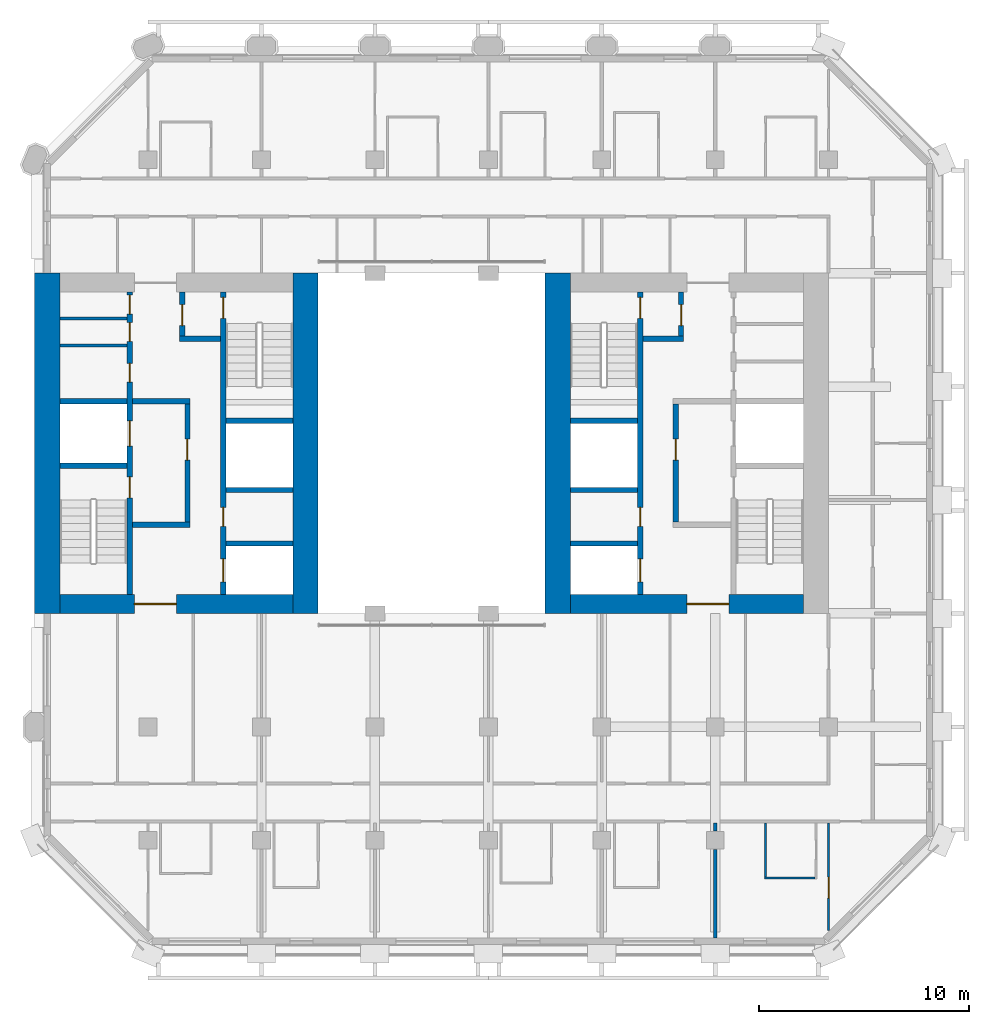
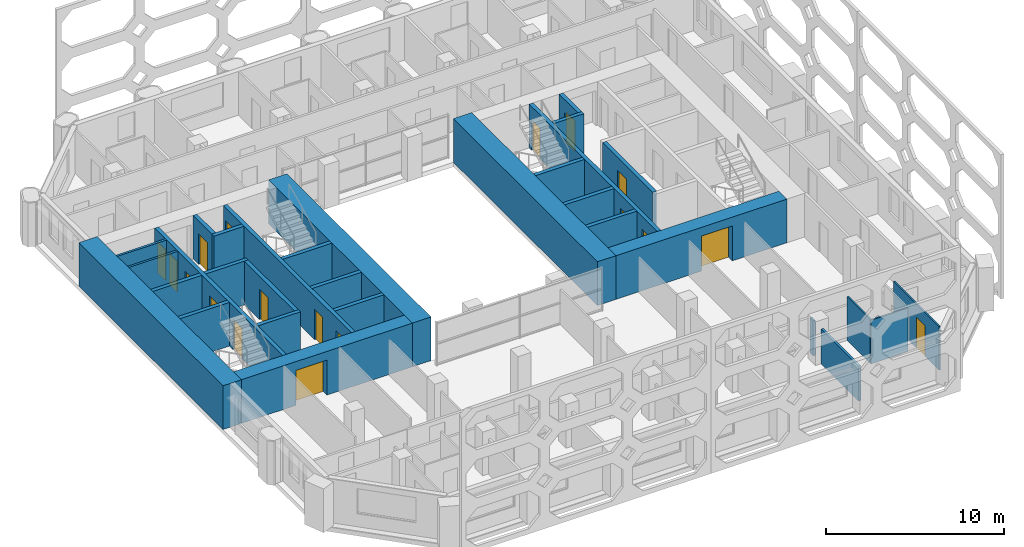
# One storey, part 7 of 14: 31 walls, 18 doors, 18 openings.
"""IFC4 building model written with IfcOpenShell, lengths in metres."""

import ifcopenshell
import ifcopenshell.guid

model = None  # the IFC model being written
_history = None  # IfcOwnerHistory: only IFC2X3 demands one
_inside = {}  # id of a spatial element -> (the spatial element, [elements in it])
_under = {}  # id of a project, library or spatial element -> (it, [spatial elements below it])
_declared = {}  # id of a project -> (the project, [libraries it declares])
_typed = {}  # id of a type object -> (the type object, [elements of that type])
_made_of = {}  # id of a material, layer set ... -> (it, [elements and type objects made of it])


def new_model(schema):
    """Start an empty IFC model of exactly this schema.

    Asked for "IFC4X3", IfcOpenShell would pick the latest addendum, in which some entities
    have other attributes; the version numbers below select the first issue.
    IFC2X3 requires an IfcOwnerHistory on every rooted entity: one is made here for all.
    """
    global model, _history
    if schema == "IFC4X3":
        model = ifcopenshell.file(schema_version=(4, 3, 0, 0))
    else:
        model = ifcopenshell.file(schema=schema)
    _inside.clear()
    _under.clear()
    _declared.clear()
    _typed.clear()
    _made_of.clear()
    _history = None
    if model.schema == "IFC2X3":
        org = make("IfcOrganization", Name="unknown")
        user = make(
            "IfcPersonAndOrganization",
            ThePerson=make("IfcPerson", FamilyName="unknown"),
            TheOrganization=org,
        )
        app = make(
            "IfcApplication",
            ApplicationDeveloper=org,
            Version="unknown",
            ApplicationFullName="unknown",
            ApplicationIdentifier="unknown",
        )
        _history = make(
            "IfcOwnerHistory",
            OwningUser=user,
            OwningApplication=app,
            ChangeAction="ADDED",
            CreationDate=0,
        )
    return model


def make(cls, **values):
    """One entity of the class cls with the attributes given. An attribute that is None is left unset."""
    return model.create_entity(
        cls, **{name: value for name, value in values.items() if value is not None}
    )


def rooted(cls, **values):
    """An entity with a GlobalId (a new one), such as an element, a storey or a relation."""
    return make(cls, GlobalId=ifcopenshell.guid.new(), OwnerHistory=_history, **values)


def si_unit(unit_type, name, prefix=None):
    """IfcSIUnit, for example si_unit("LENGTHUNIT", "METRE", prefix="MILLI")."""
    return make("IfcSIUnit", UnitType=unit_type, Prefix=prefix, Name=name)


def assignment(units):
    """IfcUnitAssignment: the units of a project."""
    return None if units is None else make("IfcUnitAssignment", Units=units)


def point(xyz):
    """IfcCartesianPoint."""
    return None if xyz is None else make("IfcCartesianPoint", Coordinates=xyz)


def direction(xyz):
    """IfcDirection."""
    return None if xyz is None else make("IfcDirection", DirectionRatios=xyz)


def frame(location, z_axis=None, x_axis=None):
    """IfcAxis2Placement3D, a coordinate frame: its origin and axes. An axis left out is left unset."""
    return make(
        "IfcAxis2Placement3D",
        Location=point(location),
        Axis=direction(z_axis),
        RefDirection=direction(x_axis),
    )


def frame_2d(location, x_axis=None):
    """IfcAxis2Placement2D, a coordinate frame in the plane: its origin and x axis."""
    return make(
        "IfcAxis2Placement2D", Location=point(location), RefDirection=direction(x_axis)
    )


def origin():
    """The frame at (0, 0, 0) with its axes left unset."""
    return frame((0.0, 0.0, 0.0))


def place(relative_to, where):
    """IfcLocalPlacement: puts the frame where relative to a parent placement (None: the world)."""
    return make(
        "IfcLocalPlacement", PlacementRelTo=relative_to, RelativePlacement=where
    )


def context(
    kind, dimensions, precision=None, world=None, true_north=None, identifier=None
):
    """IfcGeometricRepresentationContext, for example the 3D "Model" context."""
    return make(
        "IfcGeometricRepresentationContext",
        ContextIdentifier=identifier,
        ContextType=kind,
        CoordinateSpaceDimension=dimensions,
        Precision=precision,
        WorldCoordinateSystem=world,
        TrueNorth=true_north,
    )


def subcontext(parent, identifier, kind, view, scale=None):
    """IfcGeometricRepresentationSubContext, for example "Body" below "Model"."""
    return make(
        "IfcGeometricRepresentationSubContext",
        ContextIdentifier=identifier,
        ContextType=kind,
        ParentContext=parent,
        TargetScale=scale,
        TargetView=view,
    )


def project(units=None, contexts=None):
    """IfcProject with its units and contexts."""
    return rooted(
        "IfcProject",
        Name="project",
        RepresentationContexts=contexts,
        UnitsInContext=assignment(units),
    )


def spatial(cls, under=None, at=None, **own):
    """A site, building, storey or space (cls), placed at a placement, below another one or the project."""
    s = rooted(cls, ObjectPlacement=at, **own)
    if under is not None:
        _under.setdefault(under.id(), (under, []))[1].append(s)
    return s


def profile(cls, at=None, kind="AREA", **sizes):
    """A parametric profile (cls). Its sizes go by their IFC names, for example OverallWidth=200.0."""
    return make(cls, ProfileType=kind, Position=at, **sizes)


def rectangle(**sizes):
    """IfcRectangleProfileDef."""
    return profile("IfcRectangleProfileDef", **sizes)


def extrude(swept, where, along, depth):
    """IfcExtrudedAreaSolid: the profile swept, set in the frame where, extruded along a direction by depth."""
    return make(
        "IfcExtrudedAreaSolid",
        SweptArea=swept,
        Position=where,
        ExtrudedDirection=direction(along),
        Depth=depth,
    )


def shape(context_of_items, identifier, shape_type, items):
    """IfcShapeRepresentation: the items that make up one representation, for example the "Body"."""
    return make(
        "IfcShapeRepresentation",
        ContextOfItems=context_of_items,
        RepresentationIdentifier=identifier,
        RepresentationType=shape_type,
        Items=items,
    )


def material(Name=None, Category=None):
    """IfcMaterial."""
    return make("IfcMaterial", Name=Name, Category=Category)


def layer(
    of_material, thickness, ventilated=None, Name=None, Category=None, Priority=None
):
    """IfcMaterialLayer: one layer of a wall or slab, of a material (None: an air gap)."""
    return make(
        "IfcMaterialLayer",
        Material=of_material,
        LayerThickness=thickness,
        IsVentilated=ventilated,
        Name=Name,
        Category=Category,
        Priority=Priority,
    )


def layer_set(layers, Name=None):
    """IfcMaterialLayerSet."""
    return make("IfcMaterialLayerSet", MaterialLayers=layers, LayerSetName=Name)


def made_of(thing, what):
    """Note that an element or type object is made of a material, layer set ...; save() writes the relation."""
    if what is not None:
        _made_of.setdefault(what.id(), (what, []))[1].append(thing)
    return thing


def type_object(cls, material=None, **own):
    """A type object (cls), such as IfcWallType, which elements share."""
    return made_of(rooted(cls, **own), material)


def element(
    cls,
    number,
    at=None,
    inside=None,
    cuts=None,
    type_object=None,
    material=None,
    context=None,
    identifier="Body",
    shape_type=None,
    held_by="IfcProductDefinitionShape",
    body=None,
    shapes=None,
    **own,
):
    """One element of the class cls, such as IfcWall. Its Tag is "e" and its number.

    at: its placement. inside: the storey or other place that contains it. cuts: it is an
    opening in that element (IfcRelVoidsElement). A single representation is given by context,
    identifier, shape_type and body (its items); several are given by shapes. held_by: the class
    of the entity that holds the representations. save() writes the other relations.
    """
    e = rooted(cls, Tag="e%d" % number, ObjectPlacement=at, **own)
    if body is not None:
        shapes = [shape(context, identifier, shape_type, body)]
    if shapes is not None:
        e.Representation = make(held_by, Representations=shapes)
    if inside is not None:
        _inside.setdefault(inside.id(), (inside, []))[1].append(e)
    if cuts is not None:
        rooted(
            "IfcRelVoidsElement", RelatingBuildingElement=cuts, RelatedOpeningElement=e
        )
    if type_object is not None:
        _typed.setdefault(type_object.id(), (type_object, []))[1].append(e)
    return made_of(e, material)


def fill(opening, filler):
    """IfcRelFillsElement: the door or window that sits in an opening."""
    return rooted(
        "IfcRelFillsElement",
        RelatingOpeningElement=opening,
        RelatedBuildingElement=filler,
    )


def aggregate(whole, parts):
    """IfcRelAggregates: a whole, such as a stair, and the parts it consists of."""
    return rooted("IfcRelAggregates", RelatingObject=whole, RelatedObjects=parts)


def save(model, path):
    """Write the relations noted so far, then the file.

    IfcRelAggregates (storeys below a building ...), IfcRelContainedInSpatialStructure (elements
    in a storey), IfcRelDefinesByType, IfcRelAssociatesMaterial and IfcRelDeclares: one each for
    every whole, place, type object, material and project.
    """
    for whole, parts in _under.values():
        aggregate(whole, parts)
    for where, things in _inside.values():
        rooted(
            "IfcRelContainedInSpatialStructure",
            RelatedElements=things,
            RelatingStructure=where,
        )
    for kind, things in _typed.values():
        rooted("IfcRelDefinesByType", RelatedObjects=things, RelatingType=kind)
    for what, things in _made_of.values():
        rooted("IfcRelAssociatesMaterial", RelatedObjects=things, RelatingMaterial=what)
    for by, libraries in _declared.values():
        rooted("IfcRelDeclares", RelatingContext=by, RelatedDefinitions=libraries)
    model.write(path)


model = new_model("IFC4")

# Units and contexts
model_context = context("Model", 3, precision=1e-05, world=origin(), true_north=direction((0.0, 1.0)))
body_context = subcontext(model_context, "Body", "Model", "MODEL_VIEW")
ifc_project = project(units=[si_unit("LENGTHUNIT", "METRE"), si_unit("AREAUNIT", "SQUARE_METRE"), si_unit("VOLUMEUNIT", "CUBIC_METRE"), si_unit("PLANEANGLEUNIT", "RADIAN"), si_unit("MASSUNIT", "GRAM", prefix="KILO")], contexts=[model_context])

# Site, building, storey
site_placement = place(None, origin())
site = spatial("IfcSite", under=ifc_project, at=site_placement, CompositionType="ELEMENT")
building_placement = place(site_placement, origin())
building = spatial("IfcBuilding", under=site, at=building_placement, Name="Tabaq Tower and Sports Hall", CompositionType="ELEMENT")
storey_placement = place(building_placement, frame((0.0, 0.0, 166.0)))
storey = spatial("IfcBuildingStorey", under=building, at=storey_placement, Name="L39", CompositionType="ELEMENT", Elevation=166.0)

# Walls
ifc_material_1 = material(Name="Blockwork", Category="masonry")
ifc_layer_1 = layer(ifc_material_1, 0.14990234375)
ifc_layer_set_1 = layer_set([ifc_layer_1], Name="Core room partition 150 Blockwork")
wall_type_1 = type_object("IfcWallType", Name="Core room partition 150 Blockwork", PredefinedType="PARTITIONING", material=ifc_layer_set_1)
for number, where, z_axis, x_axis, name in (
    (1, (6.60009765625, 28.962890625, 0.0), (0.0, 0.0, 1.0), (1.0, 0.0, 0.0), "Core room partition W L39"),
    (2, (6.60009765625, 30.23193359375, 0.0), (0.0, 0.0, 1.0), (1.0, 0.0, 0.0), "Core room partition W L39"),
):
    element("IfcWall", number, at=place(storey_placement, frame(where, z_axis=z_axis, x_axis=x_axis)), inside=storey, type_object=wall_type_1, Name=name, PredefinedType="PARTITIONING", context=body_context, shape_type="SweptSolid", body=[
        extrude(rectangle(XDim=3.199951171875, YDim=0.14990234375, at=frame_2d((1.60009765625, 0.0))), origin(), (0.0, 0.0, 1.0), 3.0),
    ])
ifc_material_2 = material(Name="Concrete C50/60", Category="concrete")
ifc_layer_2 = layer(ifc_material_2, 1.199951171875)
ifc_layer_set_2 = layer_set([ifc_layer_2], Name="Core wall 1200 Concrete C50/60")
wall_type_2 = type_object("IfcWallType", Name="Core wall 1200 Concrete C50/60", PredefinedType="SOLIDWALL", material=ifc_layer_set_2)
for number, where, z_axis, x_axis, name in (
    (3, (6.0, 16.199951171875, 0.0), (0.0, 0.0, 1.0), (0.0, 1.0, 0.0), "Core wall W L39"),
    (4, (18.300048828125, 32.39990234375, 0.0), (0.0, 0.0, 1.0), (0.0, -1.0, 0.0), "Core wall W L39"),
    (5, (30.300048828125, 16.199951171875, 0.0), (0.0, 0.0, 1.0), (0.0, 1.0, 0.0), "Core wall E L39"),
):
    element("IfcWall", number, at=place(storey_placement, frame(where, z_axis=z_axis, x_axis=x_axis)), inside=storey, type_object=wall_type_2, Name=name, PredefinedType="SOLIDWALL", context=body_context, shape_type="SweptSolid", body=[
        extrude(rectangle(XDim=16.199951171875, YDim=1.199951171875, at=frame_2d((8.10009765625, 0.0))), origin(), (0.0, 0.0, 1.0), 3.0),
    ])

# Wall, opening, door
ifc_material_3 = material(Name="Concrete C50/60", Category="concrete")
ifc_layer_3 = layer(ifc_material_3, 0.89990234375)
ifc_layer_set_3 = layer_set([ifc_layer_3], Name="Core wall 900 Concrete C50/60")
wall_type_3 = type_object("IfcWallType", Name="Core wall 900 Concrete C50/60", PredefinedType="SOLIDWALL", material=ifc_layer_set_3)
wall_1_placement = place(storey_placement, frame((17.699951171875, 16.64990234375, 0.0), z_axis=(0.0, 0.0, 1.0), x_axis=(-1.0, 0.0, 0.0)))
wall_1 = element("IfcWall", 6, at=wall_1_placement, inside=storey, type_object=wall_type_3, Name="Core wall W L39", PredefinedType="SOLIDWALL", context=body_context, shape_type="SweptSolid", body=[
    extrude(rectangle(XDim=11.099853515625, YDim=0.89990234375, at=frame_2d((5.5498046875, 0.0))), origin(), (0.0, 0.0, 1.0), 3.0),
])
opening_1_placement = place(wall_1_placement, frame((5.550048828125, 0.0, 0.0)))
opening_1 = element("IfcOpeningElement", 7, at=opening_1_placement, cuts=wall_1, Name="Opening PD-WL39-01", PredefinedType="OPENING", context=body_context, shape_type="SweptSolid", body=[
    extrude(rectangle(XDim=2.0, YDim=2.39990234375, at=frame_2d((1.0, 1.199951171875))), frame((0.0, 0.449951171875, 0.0), z_axis=(0.0, -1.0, 0.0), x_axis=(1.0, 0.0, 0.0)), (0.0, 0.0, 1.0), 0.89990234375),
])
ifc_material_4 = material(Name="Steel fire door", Category="steel")
door_type_1 = type_object("IfcDoorType", Name="Core entrance door 2000", OperationType="DOUBLE_DOOR_SINGLE_SWING", PredefinedType="DOOR", material=ifc_material_4)
door_1_placement = place(opening_1_placement, origin())
door_1 = element("IfcDoor", 8, at=door_1_placement, inside=storey, type_object=door_type_1, Name="Core entrance south W L39", OperationType="DOUBLE_DOOR_SINGLE_SWING", OverallHeight=2.39990234375, OverallWidth=2.0, PredefinedType="DOOR", context=body_context, shape_type="SweptSolid", body=[
    extrude(rectangle(XDim=2.0, YDim=2.39990234375, at=frame_2d((1.0, 1.199951171875))), frame((0.0, 0.02490234375, 0.0), z_axis=(0.0, -1.0, 0.0), x_axis=(1.0, 0.0, 0.0)), (0.0, 0.0, 1.0), 0.050048828125),
])
fill(opening_1, door_1)

wall_2_placement = place(storey_placement, frame((42.0, 16.64990234375, 0.0), z_axis=(0.0, 0.0, 1.0), x_axis=(-1.0, 0.0, 0.0)))
wall_2 = element("IfcWall", 9, at=wall_2_placement, inside=storey, type_object=wall_type_3, Name="Core wall E L39", PredefinedType="SOLIDWALL", context=body_context, shape_type="SweptSolid", body=[
    extrude(rectangle(XDim=11.10009765625, YDim=0.89990234375, at=frame_2d((5.550048828125, 0.0))), origin(), (0.0, 0.0, 1.0), 3.0),
])
opening_2_placement = place(wall_2_placement, frame((3.550048828125, 0.0, 0.0)))
opening_2 = element("IfcOpeningElement", 10, at=opening_2_placement, cuts=wall_2, Name="Opening PD-EL39-01", PredefinedType="OPENING", context=body_context, shape_type="SweptSolid", body=[
    extrude(rectangle(XDim=2.0, YDim=2.39990234375, at=frame_2d((1.0, 1.199951171875))), frame((0.0, 0.449951171875, 0.0), z_axis=(0.0, -1.0, 0.0), x_axis=(1.0, 0.0, 0.0)), (0.0, 0.0, 1.0), 0.89990234375),
])
door_2_placement = place(opening_2_placement, origin())
door_2 = element("IfcDoor", 11, at=door_2_placement, inside=storey, type_object=door_type_1, Name="Core entrance south E L39", OperationType="DOUBLE_DOOR_SINGLE_SWING", OverallHeight=2.39990234375, OverallWidth=2.0, PredefinedType="DOOR", context=body_context, shape_type="SweptSolid", body=[
    extrude(rectangle(XDim=2.0, YDim=2.39990234375, at=frame_2d((1.0, 1.199951171875))), frame((0.0, 0.02490234375, 0.0), z_axis=(0.0, -1.0, 0.0), x_axis=(1.0, 0.0, 0.0)), (0.0, 0.0, 1.0), 0.050048828125),
])
fill(opening_2, door_2)

ifc_material_5 = material(Name="Gypsum board on steel studs", Category="steel")
ifc_layer_4 = layer(ifc_material_5, 0.10009765625)
ifc_layer_set_4 = layer_set([ifc_layer_4], Name="Partition 100 Gypsum board")
wall_type_4 = type_object("IfcWallType", Name="Partition 100 Gypsum board", PredefinedType="PARTITIONING", material=ifc_layer_set_4)
wall_3_placement = place(storey_placement, frame((43.199951171875, 1.112060546875, 0.0), z_axis=(0.0, 0.0, 1.0), x_axis=(0.0, 1.0, 0.0)))
wall_3 = element("IfcWall", 12, at=wall_3_placement, inside=storey, type_object=wall_type_4, Name="Partition wall L39", PredefinedType="PARTITIONING", context=body_context, shape_type="SweptSolid", body=[
    extrude(rectangle(XDim=5.113037109375, YDim=0.10009765625, at=frame_2d((2.556640625, 0.0))), origin(), (0.0, 0.0, 1.0), 3.0),
])
opening_3_placement = place(wall_3_placement, frame((1.537841796875, 0.0, 0.0)))
opening_3 = element("IfcOpeningElement", 13, at=opening_3_placement, cuts=wall_3, Name="Opening L39-046", PredefinedType="OPENING", context=body_context, shape_type="SweptSolid", body=[
    extrude(rectangle(XDim=1.0, YDim=2.10009765625, at=frame_2d((0.5, 1.050048828125))), frame((0.0, 0.050048828125, 0.0), z_axis=(0.0, -1.0, 0.0), x_axis=(1.0, 0.0, 0.0)), (0.0, 0.0, 1.0), 0.10009765625),
])
ifc_material_6 = material(Name="Timber leaf in steel frame", Category="steel")
door_type_2 = type_object("IfcDoorType", Name="Internal door 1000 right hand", OperationType="SINGLE_SWING_RIGHT", PredefinedType="DOOR", material=ifc_material_6)
door_3_placement = place(opening_3_placement, origin())
door_3 = element("IfcDoor", 14, at=door_3_placement, inside=storey, type_object=door_type_2, Name="Internal door L39-046", OperationType="SINGLE_SWING_RIGHT", OverallHeight=2.10009765625, OverallWidth=1.0, PredefinedType="DOOR", context=body_context, shape_type="SweptSolid", body=[
    extrude(rectangle(XDim=1.0, YDim=2.10009765625, at=frame_2d((0.5, 1.050048828125))), frame((0.0, 0.02490234375, 0.0), z_axis=(0.0, -1.0, 0.0), x_axis=(1.0, 0.0, 0.0)), (0.0, 0.0, 1.0), 0.050048828125),
])
fill(opening_3, door_3)

# Walls
wall_4_placement = place(storey_placement, frame((42.550048828125, 3.60009765625, 0.0), z_axis=(0.0, 0.0, 1.0), x_axis=(-1.0, 0.0, 0.0)))
element("IfcWall", 15, at=wall_4_placement, inside=storey, type_object=wall_type_4, Name="Partition wall L39", PredefinedType="PARTITIONING", context=body_context, shape_type="SweptSolid", body=[
    extrude(rectangle(XDim=2.400146484375, YDim=0.10009765625, at=frame_2d((1.2001953125, 0.0))), origin(), (0.0, 0.0, 1.0), 3.0),
])
wall_5_placement = place(storey_placement, frame((40.199951171875, 3.64990234375, 0.0), z_axis=(0.0, 0.0, 1.0), x_axis=(0.0, 1.0, 0.0)))
element("IfcWall", 16, at=wall_5_placement, inside=storey, type_object=wall_type_4, Name="Partition wall L39", PredefinedType="PARTITIONING", context=body_context, shape_type="SweptSolid", body=[
    extrude(rectangle(XDim=2.5751953125, YDim=0.10009765625, at=frame_2d((1.28759765625, 0.0))), origin(), (0.0, 0.0, 1.0), 3.0),
])
ifc_material_7 = material(Name="Blockwork", Category="masonry")
ifc_layer_5 = layer(ifc_material_7, 0.14990234375)
ifc_layer_set_5 = layer_set([ifc_layer_5], Name="Separating wall 150 Blockwork")
wall_type_5 = type_object("IfcWallType", Name="Separating wall 150 Blockwork", PredefinedType="PARTITIONING", material=ifc_layer_set_5)
wall_6_placement = place(storey_placement, frame((37.800048828125, 0.7509765625, 0.0), z_axis=(0.0, 0.0, 1.0), x_axis=(0.0, 1.0, 0.0)))
element("IfcWall", 17, at=wall_6_placement, inside=storey, type_object=wall_type_5, Name="Separating wall L39", PredefinedType="PARTITIONING", context=body_context, shape_type="SweptSolid", body=[
    extrude(rectangle(XDim=4.2041015625, YDim=0.14990234375, at=frame_2d((2.10205078125, 0.0))), origin(), (0.0, 0.0, 1.0), 2.39990234375),
])
wall_7_placement = place(storey_placement, frame((37.800048828125, 5.844970703125, 0.0), z_axis=(0.0, 0.0, 1.0), x_axis=(0.0, 1.0, 0.0)))
element("IfcWall", 18, at=wall_7_placement, inside=storey, type_object=wall_type_5, Name="Separating wall L39", PredefinedType="PARTITIONING", context=body_context, shape_type="SweptSolid", body=[
    extrude(rectangle(XDim=0.380126953125, YDim=0.14990234375, at=frame_2d((0.18994140625, 0.0))), origin(), (0.0, 0.0, 1.0), 2.39990234375),
])

# Wall, openings, doors
ifc_material_8 = material(Name="Concrete C40/50", Category="concrete")
ifc_layer_6 = layer(ifc_material_8, 0.25)
ifc_layer_set_6 = layer_set([ifc_layer_6], Name="Shaft and stair wall 250 Concrete C40/50")
wall_type_6 = type_object("IfcWallType", Name="Shaft and stair wall 250 Concrete C40/50", PredefinedType="SOLIDWALL", material=ifc_layer_set_6)
wall_8_placement = place(storey_placement, frame((9.925048828125, 17.10009765625, 0.0), z_axis=(0.0, 0.0, 1.0), x_axis=(0.0, 1.0, 0.0)))
wall_8 = element("IfcWall", 19, at=wall_8_placement, inside=storey, type_object=wall_type_6, Name="Shaft wall W L39", PredefinedType="SOLIDWALL", context=body_context, shape_type="SweptSolid", body=[
    extrude(rectangle(XDim=14.39990234375, YDim=0.25, at=frame_2d((7.199951171875, 0.0))), origin(), (0.0, 0.0, 1.0), 3.0),
])
opening_4_placement = place(wall_8_placement, frame((4.60009765625, 0.0, 0.0)))
opening_4 = element("IfcOpeningElement", 20, at=opening_4_placement, cuts=wall_8, Name="Opening SD-WL39-03", PredefinedType="OPENING", context=body_context, shape_type="SweptSolid", body=[
    extrude(rectangle(XDim=1.0, YDim=2.10009765625, at=frame_2d((0.5, 1.050048828125))), frame((0.0, 0.125, 0.0), z_axis=(0.0, -1.0, 0.0), x_axis=(1.0, 0.0, 0.0)), (0.0, 0.0, 1.0), 0.25),
])
opening_5_placement = place(wall_8_placement, frame((7.0625, 0.0, 0.0)))
opening_5 = element("IfcOpeningElement", 21, at=opening_5_placement, cuts=wall_8, Name="Opening LD-FF1-L39", PredefinedType="OPENING", context=body_context, shape_type="SweptSolid", body=[
    extrude(rectangle(XDim=1.199951171875, YDim=2.10009765625, at=frame_2d((0.60009765625, 1.050048828125))), frame((0.0, 0.125, 0.0), z_axis=(0.0, -1.0, 0.0), x_axis=(1.0, 0.0, 0.0)), (0.0, 0.0, 1.0), 0.25),
])
opening_6_placement = place(wall_8_placement, frame((10.1064453125, 0.0, 0.0)))
opening_6 = element("IfcOpeningElement", 22, at=opening_6_placement, cuts=wall_8, Name="Opening RD-WL39-09", PredefinedType="OPENING", context=body_context, shape_type="SweptSolid", body=[
    extrude(rectangle(XDim=0.89990234375, YDim=2.10009765625, at=frame_2d((0.449951171875, 1.050048828125))), frame((0.0, 0.125, 0.0), z_axis=(0.0, -1.0, 0.0), x_axis=(1.0, 0.0, 0.0)), (0.0, 0.0, 1.0), 0.25),
])
opening_7_placement = place(wall_8_placement, frame((12.047607421875, 0.0, 0.0)))
opening_7 = element("IfcOpeningElement", 23, at=opening_7_placement, cuts=wall_8, Name="Opening RD-WL39-10", PredefinedType="OPENING", context=body_context, shape_type="SweptSolid", body=[
    extrude(rectangle(XDim=0.89990234375, YDim=2.10009765625, at=frame_2d((0.449951171875, 1.050048828125))), frame((0.0, 0.125, 0.0), z_axis=(0.0, -1.0, 0.0), x_axis=(1.0, 0.0, 0.0)), (0.0, 0.0, 1.0), 0.25),
])
opening_8_placement = place(wall_8_placement, frame((13.353515625, 0.0, 0.0)))
opening_8 = element("IfcOpeningElement", 24, at=opening_8_placement, cuts=wall_8, Name="Opening RD-WL39-11", PredefinedType="OPENING", context=body_context, shape_type="SweptSolid", body=[
    extrude(rectangle(XDim=0.89990234375, YDim=2.10009765625, at=frame_2d((0.449951171875, 1.050048828125))), frame((0.0, 0.125, 0.0), z_axis=(0.0, -1.0, 0.0), x_axis=(1.0, 0.0, 0.0)), (0.0, 0.0, 1.0), 0.25),
])
ifc_material_9 = material(Name="Steel fire door", Category="steel")
door_type_3 = type_object("IfcDoorType", Name="Core room door 900", OperationType="SINGLE_SWING_LEFT", PredefinedType="DOOR", material=ifc_material_9)
door_4_placement = place(opening_6_placement, origin())
door_4 = element("IfcDoor", 25, at=door_4_placement, inside=storey, type_object=door_type_3, Name="Door Unisex WC W L39", OperationType="SINGLE_SWING_LEFT", OverallHeight=2.10009765625, OverallWidth=0.89990234375, PredefinedType="DOOR", context=body_context, shape_type="SweptSolid", body=[
    extrude(rectangle(XDim=0.89990234375, YDim=2.10009765625, at=frame_2d((0.449951171875, 1.050048828125))), frame((0.0, 0.02490234375, 0.0), z_axis=(0.0, -1.0, 0.0), x_axis=(1.0, 0.0, 0.0)), (0.0, 0.0, 1.0), 0.050048828125),
])
fill(opening_6, door_4)
door_5_placement = place(opening_7_placement, origin())
door_5 = element("IfcDoor", 26, at=door_5_placement, inside=storey, type_object=door_type_3, Name="Door Cleaner's Store W L39", OperationType="SINGLE_SWING_LEFT", OverallHeight=2.10009765625, OverallWidth=0.89990234375, PredefinedType="DOOR", context=body_context, shape_type="SweptSolid", body=[
    extrude(rectangle(XDim=0.89990234375, YDim=2.10009765625, at=frame_2d((0.449951171875, 1.050048828125))), frame((0.0, 0.02490234375, 0.0), z_axis=(0.0, -1.0, 0.0), x_axis=(1.0, 0.0, 0.0)), (0.0, 0.0, 1.0), 0.050048828125),
])
fill(opening_7, door_5)
door_6_placement = place(opening_8_placement, origin())
door_6 = element("IfcDoor", 27, at=door_6_placement, inside=storey, type_object=door_type_3, Name="Door Accessible WC W L39", OperationType="SINGLE_SWING_LEFT", OverallHeight=2.10009765625, OverallWidth=0.89990234375, PredefinedType="DOOR", context=body_context, shape_type="SweptSolid", body=[
    extrude(rectangle(XDim=0.89990234375, YDim=2.10009765625, at=frame_2d((0.449951171875, 1.050048828125))), frame((0.0, 0.02490234375, 0.0), z_axis=(0.0, -1.0, 0.0), x_axis=(1.0, 0.0, 0.0)), (0.0, 0.0, 1.0), 0.050048828125),
])
fill(opening_8, door_6)
ifc_material_10 = material(Name="Stainless steel", Category="steel")
door_type_4 = type_object("IfcDoorType", Name="Lift landing door 1200", OperationType="DOUBLE_DOOR_SLIDING", PredefinedType="DOOR", material=ifc_material_10)
door_7_placement = place(opening_5_placement, origin())
door_7 = element("IfcDoor", 28, at=door_7_placement, inside=storey, type_object=door_type_4, Name="Lift landing door FF1 W L39", OperationType="DOUBLE_DOOR_SLIDING", OverallHeight=2.10009765625, OverallWidth=1.199951171875, PredefinedType="DOOR", context=body_context, shape_type="SweptSolid", body=[
    extrude(rectangle(XDim=1.199951171875, YDim=2.10009765625, at=frame_2d((0.60009765625, 1.050048828125))), frame((0.0, 0.02490234375, 0.0), z_axis=(0.0, -1.0, 0.0), x_axis=(1.0, 0.0, 0.0)), (0.0, 0.0, 1.0), 0.050048828125),
])
fill(opening_5, door_7)
ifc_material_11 = material(Name="Steel fire door", Category="steel")
door_type_5 = type_object("IfcDoorType", Name="Stair door 1000", OperationType="SINGLE_SWING_LEFT", PredefinedType="DOOR", material=ifc_material_11)
door_8_placement = place(opening_4_placement, origin())
door_8 = element("IfcDoor", 29, at=door_8_placement, inside=storey, type_object=door_type_5, Name="Stair door ST1 W L39", OperationType="SINGLE_SWING_LEFT", OverallHeight=2.10009765625, OverallWidth=1.0, PredefinedType="DOOR", context=body_context, shape_type="SweptSolid", body=[
    extrude(rectangle(XDim=1.0, YDim=2.10009765625, at=frame_2d((0.5, 1.050048828125))), frame((0.0, 0.02490234375, 0.0), z_axis=(0.0, -1.0, 0.0), x_axis=(1.0, 0.0, 0.0)), (0.0, 0.0, 1.0), 0.050048828125),
])
fill(opening_4, door_8)

wall_9_placement = place(storey_placement, frame((14.375, 17.10009765625, 0.0), z_axis=(0.0, 0.0, 1.0), x_axis=(0.0, 1.0, 0.0)))
wall_9 = element("IfcWall", 30, at=wall_9_placement, inside=storey, type_object=wall_type_6, Name="Shaft wall W L39", PredefinedType="SOLIDWALL", context=body_context, shape_type="SweptSolid", body=[
    extrude(rectangle(XDim=14.39990234375, YDim=0.25, at=frame_2d((7.199951171875, 0.0))), origin(), (0.0, 0.0, 1.0), 3.0),
])
opening_9_placement = place(wall_9_placement, frame((13.14990234375, 0.0, 0.0)))
opening_9 = element("IfcOpeningElement", 31, at=opening_9_placement, cuts=wall_9, Name="Opening SD-WL39-05", PredefinedType="OPENING", context=body_context, shape_type="SweptSolid", body=[
    extrude(rectangle(XDim=1.0, YDim=2.10009765625, at=frame_2d((0.5, 1.050048828125))), frame((0.0, 0.125, 0.0), z_axis=(0.0, -1.0, 0.0), x_axis=(1.0, 0.0, 0.0)), (0.0, 0.0, 1.0), 0.25),
])
opening_10_placement = place(wall_9_placement, frame((0.60009765625, 0.0, 0.0)))
opening_10 = element("IfcOpeningElement", 32, at=opening_10_placement, cuts=wall_9, Name="Opening LD-MR1-L39", PredefinedType="OPENING", context=body_context, shape_type="SweptSolid", body=[
    extrude(rectangle(XDim=1.10009765625, YDim=2.10009765625, at=frame_2d((0.550048828125, 1.050048828125))), frame((0.0, 0.125, 0.0), z_axis=(0.0, -1.0, 0.0), x_axis=(1.0, 0.0, 0.0)), (0.0, 0.0, 1.0), 0.25),
])
opening_11_placement = place(wall_9_placement, frame((3.25, 0.0, 0.0)))
opening_11 = element("IfcOpeningElement", 33, at=opening_11_placement, cuts=wall_9, Name="Opening RD-WL39-12", PredefinedType="OPENING", context=body_context, shape_type="SweptSolid", body=[
    extrude(rectangle(XDim=0.89990234375, YDim=2.10009765625, at=frame_2d((0.449951171875, 1.050048828125))), frame((0.0, 0.125, 0.0), z_axis=(0.0, -1.0, 0.0), x_axis=(1.0, 0.0, 0.0)), (0.0, 0.0, 1.0), 0.25),
])
door_9_placement = place(opening_11_placement, origin())
door_9 = element("IfcDoor", 34, at=door_9_placement, inside=storey, type_object=door_type_3, Name="Door Cleaner's Store W L39", OperationType="SINGLE_SWING_LEFT", OverallHeight=2.10009765625, OverallWidth=0.89990234375, PredefinedType="DOOR", context=body_context, shape_type="SweptSolid", body=[
    extrude(rectangle(XDim=0.89990234375, YDim=2.10009765625, at=frame_2d((0.449951171875, 1.050048828125))), frame((0.0, 0.02490234375, 0.0), z_axis=(0.0, -1.0, 0.0), x_axis=(1.0, 0.0, 0.0)), (0.0, 0.0, 1.0), 0.050048828125),
])
fill(opening_11, door_9)
ifc_material_12 = material(Name="Stainless steel", Category="steel")
door_type_6 = type_object("IfcDoorType", Name="Lift landing door 1100", OperationType="DOUBLE_DOOR_SLIDING", PredefinedType="DOOR", material=ifc_material_12)
door_10_placement = place(opening_10_placement, origin())
door_10 = element("IfcDoor", 35, at=door_10_placement, inside=storey, type_object=door_type_6, Name="Lift landing door MR1 W L39", OperationType="DOUBLE_DOOR_SLIDING", OverallHeight=2.10009765625, OverallWidth=1.10009765625, PredefinedType="DOOR", context=body_context, shape_type="SweptSolid", body=[
    extrude(rectangle(XDim=1.10009765625, YDim=2.10009765625, at=frame_2d((0.550048828125, 1.050048828125))), frame((0.0, 0.02490234375, 0.0), z_axis=(0.0, -1.0, 0.0), x_axis=(1.0, 0.0, 0.0)), (0.0, 0.0, 1.0), 0.050048828125),
])
fill(opening_10, door_10)
door_11_placement = place(opening_9_placement, origin())
door_11 = element("IfcDoor", 36, at=door_11_placement, inside=storey, type_object=door_type_5, Name="Stair door ST2 W L39", OperationType="SINGLE_SWING_LEFT", OverallHeight=2.10009765625, OverallWidth=1.0, PredefinedType="DOOR", context=body_context, shape_type="SweptSolid", body=[
    extrude(rectangle(XDim=1.0, YDim=2.10009765625, at=frame_2d((0.5, 1.050048828125))), frame((0.0, 0.02490234375, 0.0), z_axis=(0.0, -1.0, 0.0), x_axis=(1.0, 0.0, 0.0)), (0.0, 0.0, 1.0), 0.050048828125),
])
fill(opening_9, door_11)

# Walls
for number, where, z_axis, x_axis, name in (
    (37, (6.60009765625, 23.22509765625, 0.0), (0.0, 0.0, 1.0), (1.0, 0.0, 0.0), "Stair enclosure wall W L39"),
    (38, (14.5, 25.375, 0.0), (0.0, 0.0, 1.0), (1.0, 0.0, 0.0), "Stair enclosure wall W L39"),
    (39, (14.5, 22.074951171875, 0.0), (0.0, 0.0, 1.0), (1.0, 0.0, 0.0), "Shaft wall W L39"),
    (40, (6.60009765625, 26.300048828125, 0.0), (0.0, 0.0, 1.0), (1.0, 0.0, 0.0), "Shaft wall W L39"),
):
    element("IfcWall", number, at=place(storey_placement, frame(where, z_axis=z_axis, x_axis=x_axis)), inside=storey, type_object=wall_type_6, Name=name, PredefinedType="SOLIDWALL", context=body_context, shape_type="SweptSolid", body=[
        extrude(rectangle(XDim=3.199951171875, YDim=0.25, at=frame_2d((1.60009765625, 0.0))), origin(), (0.0, 0.0, 1.0), 3.0),
    ])
for number, where, z_axis, x_axis, name in (
    (41, (10.050048828125, 26.300048828125, 0.0), (0.0, 0.0, 1.0), (1.0, 0.0, 0.0), "Fire-fighting lobby wall W L39"),
    (42, (10.050048828125, 20.425048828125, 0.0), (0.0, 0.0, 1.0), (1.0, 0.0, 0.0), "Fire-fighting lobby wall W L39"),
):
    element("IfcWall", number, at=place(storey_placement, frame(where, z_axis=z_axis, x_axis=x_axis)), inside=storey, type_object=wall_type_6, Name=name, PredefinedType="SOLIDWALL", context=body_context, shape_type="SweptSolid", body=[
        extrude(rectangle(XDim=2.75, YDim=0.25, at=frame_2d((1.375, 0.0))), origin(), (0.0, 0.0, 1.0), 3.0),
    ])

# Wall, opening, door
wall_10_placement = place(storey_placement, frame((12.425048828125, 29.39990234375, 0.0), z_axis=(0.0, 0.0, 1.0), x_axis=(0.0, 1.0, 0.0)))
wall_10 = element("IfcWall", 43, at=wall_10_placement, inside=storey, type_object=wall_type_6, Name="Fire-fighting lobby wall W L39", PredefinedType="SOLIDWALL", context=body_context, shape_type="SweptSolid", body=[
    extrude(rectangle(XDim=2.10009765625, YDim=0.25, at=frame_2d((1.050048828125, 0.0))), origin(), (0.0, 0.0, 1.0), 3.0),
])
opening_12_placement = place(wall_10_placement, frame((0.5, 0.0, 0.0)))
opening_12 = element("IfcOpeningElement", 44, at=opening_12_placement, cuts=wall_10, Name="Opening FD-WL39-06", PredefinedType="OPENING", context=body_context, shape_type="SweptSolid", body=[
    extrude(rectangle(XDim=1.0, YDim=2.10009765625, at=frame_2d((0.5, 1.050048828125))), frame((0.0, 0.125, 0.0), z_axis=(0.0, -1.0, 0.0), x_axis=(1.0, 0.0, 0.0)), (0.0, 0.0, 1.0), 0.25),
])
ifc_material_13 = material(Name="Steel fire door", Category="steel")
door_type_7 = type_object("IfcDoorType", Name="Fire-fighting lobby door 1000", OperationType="SINGLE_SWING_LEFT", PredefinedType="DOOR", material=ifc_material_13)
door_12_placement = place(opening_12_placement, origin())
door_12 = element("IfcDoor", 45, at=door_12_placement, inside=storey, type_object=door_type_7, Name="Stair lobby door W L39", OperationType="SINGLE_SWING_LEFT", OverallHeight=2.10009765625, OverallWidth=1.0, PredefinedType="DOOR", context=body_context, shape_type="SweptSolid", body=[
    extrude(rectangle(XDim=1.0, YDim=2.10009765625, at=frame_2d((0.5, 1.050048828125))), frame((0.0, 0.02490234375, 0.0), z_axis=(0.0, -1.0, 0.0), x_axis=(1.0, 0.0, 0.0)), (0.0, 0.0, 1.0), 0.050048828125),
])
fill(opening_12, door_12)

# Wall
wall_11_placement = place(storey_placement, frame((12.300048828125, 29.27490234375, 0.0), z_axis=(0.0, 0.0, 1.0), x_axis=(1.0, 0.0, 0.0)))
element("IfcWall", 46, at=wall_11_placement, inside=storey, type_object=wall_type_6, Name="Fire-fighting lobby wall W L39", PredefinedType="SOLIDWALL", context=body_context, shape_type="SweptSolid", body=[
    extrude(rectangle(XDim=1.949951171875, YDim=0.25, at=frame_2d((0.97509765625, 0.0))), origin(), (0.0, 0.0, 1.0), 3.0),
])

# Wall, opening, door
wall_12_placement = place(storey_placement, frame((12.675048828125, 20.550048828125, 0.0), z_axis=(0.0, 0.0, 1.0), x_axis=(0.0, 1.0, 0.0)))
wall_12 = element("IfcWall", 47, at=wall_12_placement, inside=storey, type_object=wall_type_6, Name="Fire-fighting lobby wall W L39", PredefinedType="SOLIDWALL", context=body_context, shape_type="SweptSolid", body=[
    extrude(rectangle(XDim=5.625, YDim=0.25, at=frame_2d((2.8125, 0.0))), origin(), (0.0, 0.0, 1.0), 3.0),
])
opening_13_placement = place(wall_12_placement, frame((2.949951171875, 0.0, 0.0)))
opening_13 = element("IfcOpeningElement", 48, at=opening_13_placement, cuts=wall_12, Name="Opening FD-WL39-04", PredefinedType="OPENING", context=body_context, shape_type="SweptSolid", body=[
    extrude(rectangle(XDim=1.0, YDim=2.10009765625, at=frame_2d((0.5, 1.050048828125))), frame((0.0, 0.125, 0.0), z_axis=(0.0, -1.0, 0.0), x_axis=(1.0, 0.0, 0.0)), (0.0, 0.0, 1.0), 0.25),
])
door_13_placement = place(opening_13_placement, origin())
door_13 = element("IfcDoor", 49, at=door_13_placement, inside=storey, type_object=door_type_7, Name="Fire-fighting lobby door W L39", OperationType="SINGLE_SWING_LEFT", OverallHeight=2.10009765625, OverallWidth=1.0, PredefinedType="DOOR", context=body_context, shape_type="SweptSolid", body=[
    extrude(rectangle(XDim=1.0, YDim=2.10009765625, at=frame_2d((0.5, 1.050048828125))), frame((0.0, 0.02490234375, 0.0), z_axis=(0.0, -1.0, 0.0), x_axis=(1.0, 0.0, 0.0)), (0.0, 0.0, 1.0), 0.050048828125),
])
fill(opening_13, door_13)

# Wall
wall_13_placement = place(storey_placement, frame((14.5, 19.52490234375, 0.0), z_axis=(0.0, 0.0, 1.0), x_axis=(1.0, 0.0, 0.0)))
element("IfcWall", 50, at=wall_13_placement, inside=storey, type_object=wall_type_6, Name="Shaft wall W L39", PredefinedType="SOLIDWALL", context=body_context, shape_type="SweptSolid", body=[
    extrude(rectangle(XDim=3.199951171875, YDim=0.25, at=frame_2d((1.60009765625, 0.0))), origin(), (0.0, 0.0, 1.0), 3.0),
])

# Wall, openings, doors
wall_14_placement = place(storey_placement, frame((34.22509765625, 17.10009765625, 0.0), z_axis=(0.0, 0.0, 1.0), x_axis=(0.0, 1.0, 0.0)))
wall_14 = element("IfcWall", 51, at=wall_14_placement, inside=storey, type_object=wall_type_6, Name="Shaft wall E L39", PredefinedType="SOLIDWALL", context=body_context, shape_type="SweptSolid", body=[
    extrude(rectangle(XDim=14.39990234375, YDim=0.25, at=frame_2d((7.199951171875, 0.0))), origin(), (0.0, 0.0, 1.0), 3.0),
])
opening_14_placement = place(wall_14_placement, frame((13.14990234375, 0.0, 0.0)))
opening_14 = element("IfcOpeningElement", 52, at=opening_14_placement, cuts=wall_14, Name="Opening SD-EL39-05", PredefinedType="OPENING", context=body_context, shape_type="SweptSolid", body=[
    extrude(rectangle(XDim=1.0, YDim=2.10009765625, at=frame_2d((0.5, 1.050048828125))), frame((0.0, 0.125, 0.0), z_axis=(0.0, -1.0, 0.0), x_axis=(1.0, 0.0, 0.0)), (0.0, 0.0, 1.0), 0.25),
])
opening_15_placement = place(wall_14_placement, frame((0.60009765625, 0.0, 0.0)))
opening_15 = element("IfcOpeningElement", 53, at=opening_15_placement, cuts=wall_14, Name="Opening LD-MR2-L39", PredefinedType="OPENING", context=body_context, shape_type="SweptSolid", body=[
    extrude(rectangle(XDim=1.10009765625, YDim=2.10009765625, at=frame_2d((0.550048828125, 1.050048828125))), frame((0.0, 0.125, 0.0), z_axis=(0.0, -1.0, 0.0), x_axis=(1.0, 0.0, 0.0)), (0.0, 0.0, 1.0), 0.25),
])
opening_16_placement = place(wall_14_placement, frame((3.25, 0.0, 0.0)))
opening_16 = element("IfcOpeningElement", 54, at=opening_16_placement, cuts=wall_14, Name="Opening RD-EL39-12", PredefinedType="OPENING", context=body_context, shape_type="SweptSolid", body=[
    extrude(rectangle(XDim=0.89990234375, YDim=2.10009765625, at=frame_2d((0.449951171875, 1.050048828125))), frame((0.0, 0.125, 0.0), z_axis=(0.0, -1.0, 0.0), x_axis=(1.0, 0.0, 0.0)), (0.0, 0.0, 1.0), 0.25),
])
door_14_placement = place(opening_16_placement, origin())
door_14 = element("IfcDoor", 55, at=door_14_placement, inside=storey, type_object=door_type_3, Name="Door Cleaner's Store E L39", OperationType="SINGLE_SWING_LEFT", OverallHeight=2.10009765625, OverallWidth=0.89990234375, PredefinedType="DOOR", context=body_context, shape_type="SweptSolid", body=[
    extrude(rectangle(XDim=0.89990234375, YDim=2.10009765625, at=frame_2d((0.449951171875, 1.050048828125))), frame((0.0, 0.02490234375, 0.0), z_axis=(0.0, -1.0, 0.0), x_axis=(1.0, 0.0, 0.0)), (0.0, 0.0, 1.0), 0.050048828125),
])
fill(opening_16, door_14)
door_15_placement = place(opening_15_placement, origin())
door_15 = element("IfcDoor", 56, at=door_15_placement, inside=storey, type_object=door_type_6, Name="Lift landing door MR2 E L39", OperationType="DOUBLE_DOOR_SLIDING", OverallHeight=2.10009765625, OverallWidth=1.10009765625, PredefinedType="DOOR", context=body_context, shape_type="SweptSolid", body=[
    extrude(rectangle(XDim=1.10009765625, YDim=2.10009765625, at=frame_2d((0.550048828125, 1.050048828125))), frame((0.0, 0.02490234375, 0.0), z_axis=(0.0, -1.0, 0.0), x_axis=(1.0, 0.0, 0.0)), (0.0, 0.0, 1.0), 0.050048828125),
])
fill(opening_15, door_15)
door_16_placement = place(opening_14_placement, origin())
door_16 = element("IfcDoor", 57, at=door_16_placement, inside=storey, type_object=door_type_5, Name="Stair door ST4 E L39", OperationType="SINGLE_SWING_LEFT", OverallHeight=2.10009765625, OverallWidth=1.0, PredefinedType="DOOR", context=body_context, shape_type="SweptSolid", body=[
    extrude(rectangle(XDim=1.0, YDim=2.10009765625, at=frame_2d((0.5, 1.050048828125))), frame((0.0, 0.02490234375, 0.0), z_axis=(0.0, -1.0, 0.0), x_axis=(1.0, 0.0, 0.0)), (0.0, 0.0, 1.0), 0.050048828125),
])
fill(opening_14, door_16)

# Walls
for number, where, z_axis, x_axis, name in (
    (58, (30.89990234375, 25.375, 0.0), (0.0, 0.0, 1.0), (1.0, 0.0, 0.0), "Stair enclosure wall E L39"),
    (59, (30.89990234375, 22.074951171875, 0.0), (0.0, 0.0, 1.0), (1.0, 0.0, 0.0), "Shaft wall E L39"),
):
    element("IfcWall", number, at=place(storey_placement, frame(where, z_axis=z_axis, x_axis=x_axis)), inside=storey, type_object=wall_type_6, Name=name, PredefinedType="SOLIDWALL", context=body_context, shape_type="SweptSolid", body=[
        extrude(rectangle(XDim=3.2001953125, YDim=0.25, at=frame_2d((1.60009765625, 0.0))), origin(), (0.0, 0.0, 1.0), 3.0),
    ])

# Wall, opening, door
wall_15_placement = place(storey_placement, frame((36.175048828125, 29.39990234375, 0.0), z_axis=(0.0, 0.0, 1.0), x_axis=(0.0, 1.0, 0.0)))
wall_15 = element("IfcWall", 60, at=wall_15_placement, inside=storey, type_object=wall_type_6, Name="Fire-fighting lobby wall E L39", PredefinedType="SOLIDWALL", context=body_context, shape_type="SweptSolid", body=[
    extrude(rectangle(XDim=2.10009765625, YDim=0.25, at=frame_2d((1.050048828125, 0.0))), origin(), (0.0, 0.0, 1.0), 3.0),
])
opening_17_placement = place(wall_15_placement, frame((0.5, 0.0, 0.0)))
opening_17 = element("IfcOpeningElement", 61, at=opening_17_placement, cuts=wall_15, Name="Opening FD-EL39-06", PredefinedType="OPENING", context=body_context, shape_type="SweptSolid", body=[
    extrude(rectangle(XDim=1.0, YDim=2.10009765625, at=frame_2d((0.5, 1.050048828125))), frame((0.0, 0.125, 0.0), z_axis=(0.0, -1.0, 0.0), x_axis=(1.0, 0.0, 0.0)), (0.0, 0.0, 1.0), 0.25),
])
door_17_placement = place(opening_17_placement, origin())
door_17 = element("IfcDoor", 62, at=door_17_placement, inside=storey, type_object=door_type_7, Name="Stair lobby door E L39", OperationType="SINGLE_SWING_LEFT", OverallHeight=2.10009765625, OverallWidth=1.0, PredefinedType="DOOR", context=body_context, shape_type="SweptSolid", body=[
    extrude(rectangle(XDim=1.0, YDim=2.10009765625, at=frame_2d((0.5, 1.050048828125))), frame((0.0, 0.02490234375, 0.0), z_axis=(0.0, -1.0, 0.0), x_axis=(1.0, 0.0, 0.0)), (0.0, 0.0, 1.0), 0.050048828125),
])
fill(opening_17, door_17)

# Wall
wall_16_placement = place(storey_placement, frame((34.35009765625, 29.27490234375, 0.0), z_axis=(0.0, 0.0, 1.0), x_axis=(1.0, 0.0, 0.0)))
element("IfcWall", 63, at=wall_16_placement, inside=storey, type_object=wall_type_6, Name="Fire-fighting lobby wall E L39", PredefinedType="SOLIDWALL", context=body_context, shape_type="SweptSolid", body=[
    extrude(rectangle(XDim=1.949951171875, YDim=0.25, at=frame_2d((0.97509765625, 0.0))), origin(), (0.0, 0.0, 1.0), 3.0),
])

# Wall, opening, door
wall_17_placement = place(storey_placement, frame((35.925048828125, 20.550048828125, 0.0), z_axis=(0.0, 0.0, 1.0), x_axis=(0.0, 1.0, 0.0)))
wall_17 = element("IfcWall", 64, at=wall_17_placement, inside=storey, type_object=wall_type_6, Name="Fire-fighting lobby wall E L39", PredefinedType="SOLIDWALL", context=body_context, shape_type="SweptSolid", body=[
    extrude(rectangle(XDim=5.625, YDim=0.25, at=frame_2d((2.8125, 0.0))), origin(), (0.0, 0.0, 1.0), 3.0),
])
opening_18_placement = place(wall_17_placement, frame((2.949951171875, 0.0, 0.0)))
opening_18 = element("IfcOpeningElement", 65, at=opening_18_placement, cuts=wall_17, Name="Opening FD-EL39-04", PredefinedType="OPENING", context=body_context, shape_type="SweptSolid", body=[
    extrude(rectangle(XDim=1.0, YDim=2.10009765625, at=frame_2d((0.5, 1.050048828125))), frame((0.0, 0.125, 0.0), z_axis=(0.0, -1.0, 0.0), x_axis=(1.0, 0.0, 0.0)), (0.0, 0.0, 1.0), 0.25),
])
door_18_placement = place(opening_18_placement, origin())
door_18 = element("IfcDoor", 66, at=door_18_placement, inside=storey, type_object=door_type_7, Name="Fire-fighting lobby door E L39", OperationType="SINGLE_SWING_LEFT", OverallHeight=2.10009765625, OverallWidth=1.0, PredefinedType="DOOR", context=body_context, shape_type="SweptSolid", body=[
    extrude(rectangle(XDim=1.0, YDim=2.10009765625, at=frame_2d((0.5, 1.050048828125))), frame((0.0, 0.02490234375, 0.0), z_axis=(0.0, -1.0, 0.0), x_axis=(1.0, 0.0, 0.0)), (0.0, 0.0, 1.0), 0.050048828125),
])
fill(opening_18, door_18)

# Wall
wall_18_placement = place(storey_placement, frame((30.89990234375, 19.52490234375, 0.0), z_axis=(0.0, 0.0, 1.0), x_axis=(1.0, 0.0, 0.0)))
element("IfcWall", 67, at=wall_18_placement, inside=storey, type_object=wall_type_6, Name="Shaft wall E L39", PredefinedType="SOLIDWALL", context=body_context, shape_type="SweptSolid", body=[
    extrude(rectangle(XDim=3.2001953125, YDim=0.25, at=frame_2d((1.60009765625, 0.0))), origin(), (0.0, 0.0, 1.0), 3.0),
])

save(model, "model.ifc")
